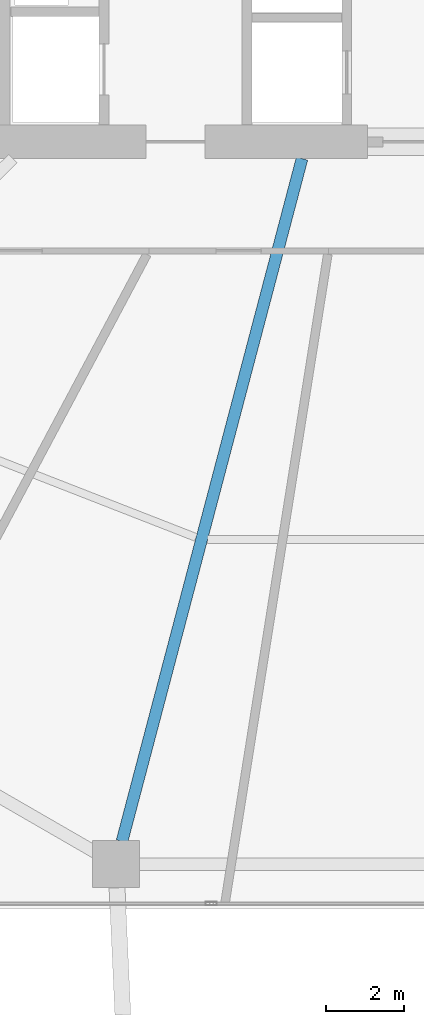
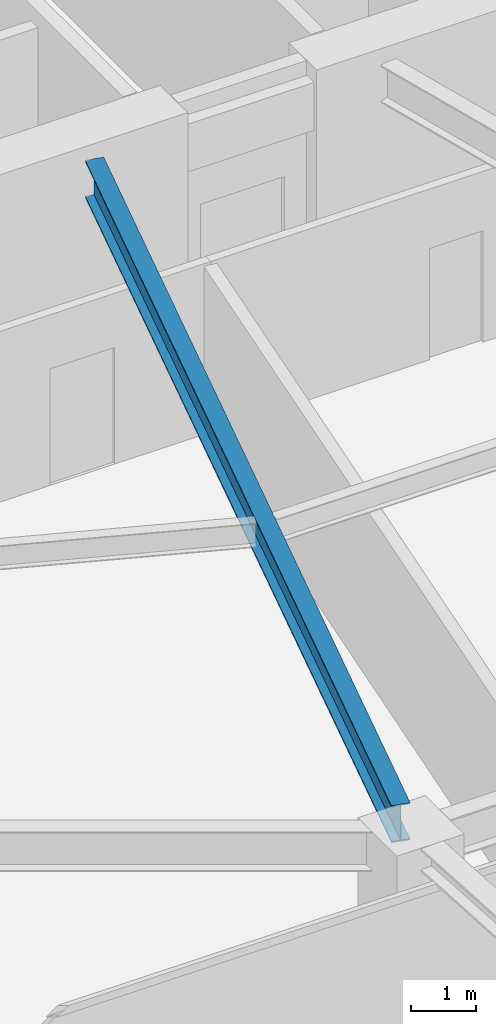
# One storey, part 4 of 26: 1 beam.
"""IFC4 building model written with IfcOpenShell, lengths in metres."""

from ifc_helpers import new_model, si_unit, direction, frame, origin, origin_2d, place, context, subcontext, project, spatial, i_section, extrude, material, material_profile, profile_set, type_object, element, save


model = new_model("IFC4")

# Units and contexts
model_context = context("Model", 3, precision=1e-05, world=origin(), true_north=direction((0.0, 1.0)))
body_context = subcontext(model_context, "Body", "Model", "MODEL_VIEW")
ifc_project = project(units=[si_unit("LENGTHUNIT", "METRE"), si_unit("AREAUNIT", "SQUARE_METRE"), si_unit("VOLUMEUNIT", "CUBIC_METRE"), si_unit("PLANEANGLEUNIT", "RADIAN"), si_unit("MASSUNIT", "GRAM", prefix="KILO")], contexts=[model_context])

# Site, building, storey
site_placement = place(None, origin())
site = spatial("IfcSite", under=ifc_project, at=site_placement, CompositionType="ELEMENT")
building_placement = place(site_placement, origin())
building = spatial("IfcBuilding", under=site, at=building_placement, Name="Zuhravey Tower", CompositionType="ELEMENT")
storey_placement = place(building_placement, frame((0.0, 0.0, 28.800048828125)))
storey = spatial("IfcBuildingStorey", under=building, at=storey_placement, Name="L07", CompositionType="ELEMENT", Elevation=28.800048828125)

# Beam
ifc_material = material(Name="Steel SM355", Category="steel")
ifc_material_profile = material_profile(ifc_material, i_section(OverallWidth=0.300048828125, OverallDepth=0.699951171875, WebThickness=0.012939453125, FlangeThickness=0.02392578125, at=origin_2d()), Name="H-700x300x13x24")
ifc_profile_set = profile_set([ifc_material_profile], Name="Steel SM355")
beam_type = type_object("IfcBeamType", Name="Radial Primary Girder H700x300", PredefinedType="BEAM", material=ifc_profile_set)
beam_placement = place(storey_placement, frame((33.382080078125, 22.072021484375, 3.570068359375), z_axis=(-0.254989720435, -0.966943763862, 0.0), x_axis=(0.966943763862, -0.254989720435, 0.0)))
element("IfcBeam", 1, at=beam_placement, inside=storey, type_object=beam_type, Name="L07 RG1 BM-L07-RAD-09", PredefinedType="BEAM", context=body_context, shape_type="SweptSolid", body=[
    extrude(i_section(OverallWidth=0.300048828125, OverallDepth=0.699951171875, WebThickness=0.012939453125, FlangeThickness=0.02392578125, at=origin_2d()), origin(), (0.0, 0.0, 1.0), 18.03369140625),
])

save(model, "model.ifc")
